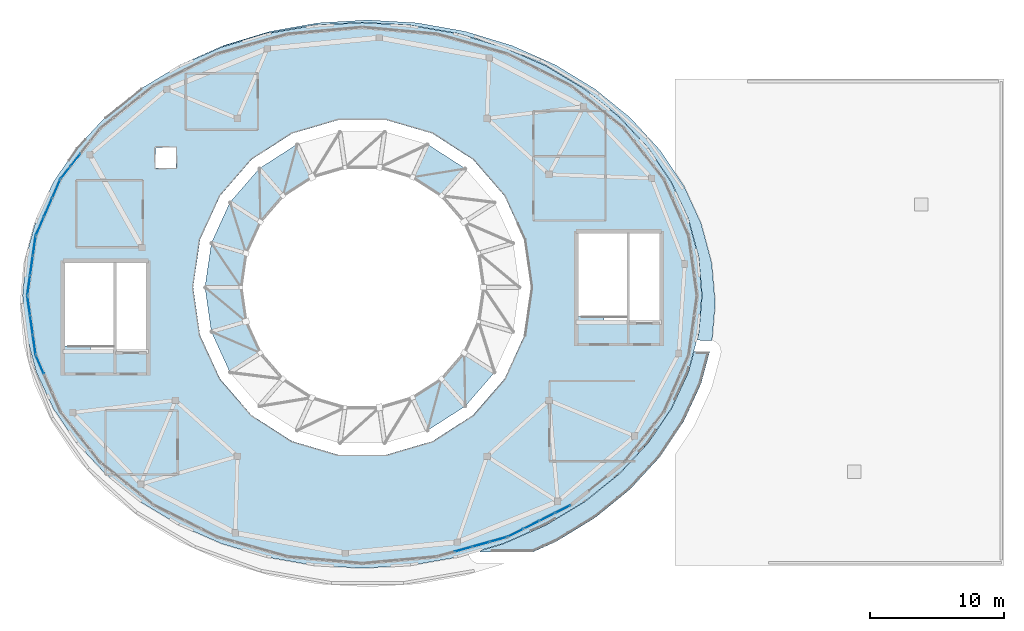
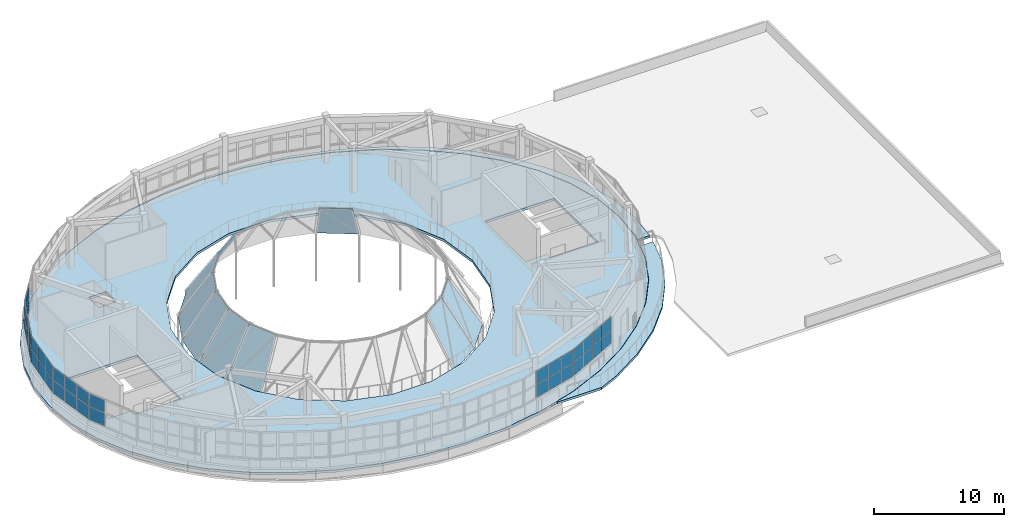
# One storey, part 30 of 38: 47 plates, 3 slabs, 7 elements without a shape of their own.
"""IFC4 building model written with IfcOpenShell, lengths in metres."""

import ifcopenshell
import ifcopenshell.guid

model = None  # the IFC model being written
_history = None  # IfcOwnerHistory: only IFC2X3 demands one
_inside = {}  # id of a spatial element -> (the spatial element, [elements in it])
_under = {}  # id of a project, library or spatial element -> (it, [spatial elements below it])
_declared = {}  # id of a project -> (the project, [libraries it declares])
_typed = {}  # id of a type object -> (the type object, [elements of that type])
_made_of = {}  # id of a material, layer set ... -> (it, [elements and type objects made of it])


def new_model(schema):
    """Start an empty IFC model of exactly this schema.

    Asked for "IFC4X3", IfcOpenShell would pick the latest addendum, in which some entities
    have other attributes; the version numbers below select the first issue.
    IFC2X3 requires an IfcOwnerHistory on every rooted entity: one is made here for all.
    """
    global model, _history
    if schema == "IFC4X3":
        model = ifcopenshell.file(schema_version=(4, 3, 0, 0))
    else:
        model = ifcopenshell.file(schema=schema)
    _inside.clear()
    _under.clear()
    _declared.clear()
    _typed.clear()
    _made_of.clear()
    _history = None
    if model.schema == "IFC2X3":
        org = make("IfcOrganization", Name="unknown")
        user = make(
            "IfcPersonAndOrganization",
            ThePerson=make("IfcPerson", FamilyName="unknown"),
            TheOrganization=org,
        )
        app = make(
            "IfcApplication",
            ApplicationDeveloper=org,
            Version="unknown",
            ApplicationFullName="unknown",
            ApplicationIdentifier="unknown",
        )
        _history = make(
            "IfcOwnerHistory",
            OwningUser=user,
            OwningApplication=app,
            ChangeAction="ADDED",
            CreationDate=0,
        )
    return model


def make(cls, **values):
    """One entity of the class cls with the attributes given. An attribute that is None is left unset."""
    return model.create_entity(
        cls, **{name: value for name, value in values.items() if value is not None}
    )


def rooted(cls, **values):
    """An entity with a GlobalId (a new one), such as an element, a storey or a relation."""
    return make(cls, GlobalId=ifcopenshell.guid.new(), OwnerHistory=_history, **values)


def si_unit(unit_type, name, prefix=None):
    """IfcSIUnit, for example si_unit("LENGTHUNIT", "METRE", prefix="MILLI")."""
    return make("IfcSIUnit", UnitType=unit_type, Prefix=prefix, Name=name)


def assignment(units):
    """IfcUnitAssignment: the units of a project."""
    return None if units is None else make("IfcUnitAssignment", Units=units)


def point(xyz):
    """IfcCartesianPoint."""
    return None if xyz is None else make("IfcCartesianPoint", Coordinates=xyz)


def direction(xyz):
    """IfcDirection."""
    return None if xyz is None else make("IfcDirection", DirectionRatios=xyz)


def frame(location, z_axis=None, x_axis=None):
    """IfcAxis2Placement3D, a coordinate frame: its origin and axes. An axis left out is left unset."""
    return make(
        "IfcAxis2Placement3D",
        Location=point(location),
        Axis=direction(z_axis),
        RefDirection=direction(x_axis),
    )


def frame_2d(location, x_axis=None):
    """IfcAxis2Placement2D, a coordinate frame in the plane: its origin and x axis."""
    return make(
        "IfcAxis2Placement2D", Location=point(location), RefDirection=direction(x_axis)
    )


def origin():
    """The frame at (0, 0, 0) with its axes left unset."""
    return frame((0.0, 0.0, 0.0))


def origin_2d():
    """The frame at (0, 0) in the plane with its x axis left unset."""
    return frame_2d((0.0, 0.0))


def place(relative_to, where):
    """IfcLocalPlacement: puts the frame where relative to a parent placement (None: the world)."""
    return make(
        "IfcLocalPlacement", PlacementRelTo=relative_to, RelativePlacement=where
    )


def context(
    kind, dimensions, precision=None, world=None, true_north=None, identifier=None
):
    """IfcGeometricRepresentationContext, for example the 3D "Model" context."""
    return make(
        "IfcGeometricRepresentationContext",
        ContextIdentifier=identifier,
        ContextType=kind,
        CoordinateSpaceDimension=dimensions,
        Precision=precision,
        WorldCoordinateSystem=world,
        TrueNorth=true_north,
    )


def subcontext(parent, identifier, kind, view, scale=None):
    """IfcGeometricRepresentationSubContext, for example "Body" below "Model"."""
    return make(
        "IfcGeometricRepresentationSubContext",
        ContextIdentifier=identifier,
        ContextType=kind,
        ParentContext=parent,
        TargetScale=scale,
        TargetView=view,
    )


def project(units=None, contexts=None):
    """IfcProject with its units and contexts."""
    return rooted(
        "IfcProject",
        Name="project",
        RepresentationContexts=contexts,
        UnitsInContext=assignment(units),
    )


def spatial(cls, under=None, at=None, **own):
    """A site, building, storey or space (cls), placed at a placement, below another one or the project."""
    s = rooted(cls, ObjectPlacement=at, **own)
    if under is not None:
        _under.setdefault(under.id(), (under, []))[1].append(s)
    return s


def polyline(points):
    """IfcPolyline through the points."""
    return make("IfcPolyline", Points=[point(p) for p in points])


def profile(cls, at=None, kind="AREA", **sizes):
    """A parametric profile (cls). Its sizes go by their IFC names, for example OverallWidth=200.0."""
    return make(cls, ProfileType=kind, Position=at, **sizes)


def rectangle(**sizes):
    """IfcRectangleProfileDef."""
    return profile("IfcRectangleProfileDef", **sizes)


def outline(outer, holes=None, kind="AREA"):
    """IfcArbitraryClosedProfileDef: a profile drawn as a closed curve; with holes, ...WithVoids."""
    if holes is None:
        return make("IfcArbitraryClosedProfileDef", ProfileType=kind, OuterCurve=outer)
    return make(
        "IfcArbitraryProfileDefWithVoids",
        ProfileType=kind,
        OuterCurve=outer,
        InnerCurves=holes,
    )


def extrude(swept, where, along, depth):
    """IfcExtrudedAreaSolid: the profile swept, set in the frame where, extruded along a direction by depth."""
    return make(
        "IfcExtrudedAreaSolid",
        SweptArea=swept,
        Position=where,
        ExtrudedDirection=direction(along),
        Depth=depth,
    )


def shape(context_of_items, identifier, shape_type, items):
    """IfcShapeRepresentation: the items that make up one representation, for example the "Body"."""
    return make(
        "IfcShapeRepresentation",
        ContextOfItems=context_of_items,
        RepresentationIdentifier=identifier,
        RepresentationType=shape_type,
        Items=items,
    )


def material(Name=None, Category=None):
    """IfcMaterial."""
    return make("IfcMaterial", Name=Name, Category=Category)


def layer(
    of_material, thickness, ventilated=None, Name=None, Category=None, Priority=None
):
    """IfcMaterialLayer: one layer of a wall or slab, of a material (None: an air gap)."""
    return make(
        "IfcMaterialLayer",
        Material=of_material,
        LayerThickness=thickness,
        IsVentilated=ventilated,
        Name=Name,
        Category=Category,
        Priority=Priority,
    )


def layer_set(layers, Name=None):
    """IfcMaterialLayerSet."""
    return make("IfcMaterialLayerSet", MaterialLayers=layers, LayerSetName=Name)


def made_of(thing, what):
    """Note that an element or type object is made of a material, layer set ...; save() writes the relation."""
    if what is not None:
        _made_of.setdefault(what.id(), (what, []))[1].append(thing)
    return thing


def type_object(cls, material=None, **own):
    """A type object (cls), such as IfcWallType, which elements share."""
    return made_of(rooted(cls, **own), material)


def element(
    cls,
    number,
    at=None,
    inside=None,
    cuts=None,
    type_object=None,
    material=None,
    context=None,
    identifier="Body",
    shape_type=None,
    held_by="IfcProductDefinitionShape",
    body=None,
    shapes=None,
    **own,
):
    """One element of the class cls, such as IfcWall. Its Tag is "e" and its number.

    at: its placement. inside: the storey or other place that contains it. cuts: it is an
    opening in that element (IfcRelVoidsElement). A single representation is given by context,
    identifier, shape_type and body (its items); several are given by shapes. held_by: the class
    of the entity that holds the representations. save() writes the other relations.
    """
    e = rooted(cls, Tag="e%d" % number, ObjectPlacement=at, **own)
    if body is not None:
        shapes = [shape(context, identifier, shape_type, body)]
    if shapes is not None:
        e.Representation = make(held_by, Representations=shapes)
    if inside is not None:
        _inside.setdefault(inside.id(), (inside, []))[1].append(e)
    if cuts is not None:
        rooted(
            "IfcRelVoidsElement", RelatingBuildingElement=cuts, RelatedOpeningElement=e
        )
    if type_object is not None:
        _typed.setdefault(type_object.id(), (type_object, []))[1].append(e)
    return made_of(e, material)


def aggregate(whole, parts):
    """IfcRelAggregates: a whole, such as a stair, and the parts it consists of."""
    return rooted("IfcRelAggregates", RelatingObject=whole, RelatedObjects=parts)


def save(model, path):
    """Write the relations noted so far, then the file.

    IfcRelAggregates (storeys below a building ...), IfcRelContainedInSpatialStructure (elements
    in a storey), IfcRelDefinesByType, IfcRelAssociatesMaterial and IfcRelDeclares: one each for
    every whole, place, type object, material and project.
    """
    for whole, parts in _under.values():
        aggregate(whole, parts)
    for where, things in _inside.values():
        rooted(
            "IfcRelContainedInSpatialStructure",
            RelatedElements=things,
            RelatingStructure=where,
        )
    for kind, things in _typed.values():
        rooted("IfcRelDefinesByType", RelatedObjects=things, RelatingType=kind)
    for what, things in _made_of.values():
        rooted("IfcRelAssociatesMaterial", RelatedObjects=things, RelatingMaterial=what)
    for by, libraries in _declared.values():
        rooted("IfcRelDeclares", RelatingContext=by, RelatedDefinitions=libraries)
    model.write(path)


model = new_model("IFC4")

# Units and contexts
model_context = context("Model", 3, precision=1e-05, world=origin(), true_north=direction((0.0, 1.0)))
body_context = subcontext(model_context, "Body", "Model", "MODEL_VIEW")
ifc_project = project(units=[si_unit("LENGTHUNIT", "METRE"), si_unit("AREAUNIT", "SQUARE_METRE"), si_unit("VOLUMEUNIT", "CUBIC_METRE"), si_unit("PLANEANGLEUNIT", "RADIAN"), si_unit("MASSUNIT", "GRAM", prefix="KILO")], contexts=[model_context])

# Site, building, storey
site_placement = place(None, origin())
site = spatial("IfcSite", under=ifc_project, at=site_placement, CompositionType="ELEMENT")
building_placement = place(site_placement, origin())
building = spatial("IfcBuilding", under=site, at=building_placement, Name="Pelvatis Terrace Science Centre", CompositionType="ELEMENT")
storey_placement = place(building_placement, frame((0.0, 0.0, 24.300048828125)))
storey = spatial("IfcBuildingStorey", under=building, at=storey_placement, Name="L05", CompositionType="ELEMENT", Elevation=24.300048828125)

# Curtain wall, plates
ifc_material_1 = material(Name="Bronze-anodised aluminium and laminated glass", Category="aluminium")
ifc_layer_1 = layer(ifc_material_1, 0.179931640625)
ifc_layer_set_1 = layer_set([ifc_layer_1], Name="Bronze-anodised aluminium and laminated glass")
curtain_wall_type = type_object("IfcCurtainWallType", Name="CW-RIBBON-A", PredefinedType="NOTDEFINED", material=ifc_layer_set_1)
curtain_wall_1_placement = place(storey_placement, origin())
curtain_wall_1 = element("IfcCurtainWall", 1, at=curtain_wall_1_placement, inside=storey, type_object=curtain_wall_type, Name="Ribbon curtain wall CW-248 (L05)", PredefinedType="NOTDEFINED")
ifc_material_2 = material(Name="Low-e laminated solar-control double glazing", Category="glass")
ifc_layer_2 = layer(ifc_material_2, 0.035888671875)
ifc_layer_set_2 = layer_set([ifc_layer_2], Name="Low-e laminated solar-control double glazing")
plate_type_1 = type_object("IfcPlateType", Name="CWP-IGU-36", PredefinedType="CURTAIN_PANEL", material=ifc_layer_set_2)
plate_1_placement = place(storey_placement, frame((87.749755859375, 95.324951171875, 1.080078125), z_axis=(0.0, 0.0, 1.0), x_axis=(-0.617492535697, -0.786576740286, 0.0)))
plate_1 = element("IfcPlate", 2, at=plate_1_placement, type_object=plate_type_1, Name="CW-248 panel 3.1", PredefinedType="CURTAIN_PANEL", context=body_context, shape_type="SweptSolid", body=[
    extrude(rectangle(XDim=1.148193359375, YDim=0.035888671875, at=origin_2d()), origin(), (0.0, 0.0, 1.0), 1.18994140625),
])
plate_2_placement = place(storey_placement, frame((87.749755859375, 95.324951171875, 2.330078125), z_axis=(0.0, 0.0, 1.0), x_axis=(-0.617492535697, -0.786576740286, 0.0)))
plate_2 = element("IfcPlate", 3, at=plate_2_placement, type_object=plate_type_1, Name="CW-248 panel 3.2", PredefinedType="CURTAIN_PANEL", context=body_context, shape_type="SweptSolid", body=[
    extrude(rectangle(XDim=1.148193359375, YDim=0.035888671875, at=origin_2d()), origin(), (0.0, 0.0, 1.0), 1.18994140625),
])
plate_3_placement = place(storey_placement, frame((87.012939453125, 94.386474609375, 1.080078125), z_axis=(0.0, 0.0, 1.0), x_axis=(-0.617492535697, -0.786576740286, 0.0)))
plate_3 = element("IfcPlate", 4, at=plate_3_placement, type_object=plate_type_1, Name="CW-248 panel 4.1", PredefinedType="CURTAIN_PANEL", context=body_context, shape_type="SweptSolid", body=[
    extrude(rectangle(XDim=1.1181640625, YDim=0.035888671875, at=origin_2d()), origin(), (0.0, 0.0, 1.0), 1.18994140625),
])
plate_4_placement = place(storey_placement, frame((87.012939453125, 94.386474609375, 2.330078125), z_axis=(0.0, 0.0, 1.0), x_axis=(-0.617492535697, -0.786576740286, 0.0)))
plate_4 = element("IfcPlate", 5, at=plate_4_placement, type_object=plate_type_1, Name="CW-248 panel 4.2", PredefinedType="CURTAIN_PANEL", context=body_context, shape_type="SweptSolid", body=[
    extrude(rectangle(XDim=1.1181640625, YDim=0.035888671875, at=origin_2d()), origin(), (0.0, 0.0, 1.0), 1.18994140625),
])
aggregate(curtain_wall_1, [plate_1, plate_2, plate_3, plate_4])

curtain_wall_2_placement = place(storey_placement, origin())
curtain_wall_2 = element("IfcCurtainWall", 6, at=curtain_wall_2_placement, inside=storey, type_object=curtain_wall_type, Name="Ribbon curtain wall CW-249 (L05)", PredefinedType="NOTDEFINED")
plate_5_placement = place(storey_placement, frame((86.31591796875, 93.179443359375, 1.080078125), z_axis=(0.0, 0.0, 1.0), x_axis=(-0.400550007911, -0.916274899341, 0.0)))
plate_5 = element("IfcPlate", 7, at=plate_5_placement, type_object=plate_type_1, Name="CW-249 panel 1.1", PredefinedType="CURTAIN_PANEL", context=body_context, shape_type="SweptSolid", body=[
    extrude(rectangle(XDim=1.45166015625, YDim=0.035888671875, at=origin_2d()), origin(), (0.0, 0.0, 1.0), 1.18994140625),
])
plate_6_placement = place(storey_placement, frame((86.31591796875, 93.179443359375, 2.330078125), z_axis=(0.0, 0.0, 1.0), x_axis=(-0.400550007911, -0.916274899341, 0.0)))
plate_6 = element("IfcPlate", 8, at=plate_6_placement, type_object=plate_type_1, Name="CW-249 panel 1.2", PredefinedType="CURTAIN_PANEL", context=body_context, shape_type="SweptSolid", body=[
    extrude(rectangle(XDim=1.45166015625, YDim=0.035888671875, at=origin_2d()), origin(), (0.0, 0.0, 1.0), 1.18994140625),
])
plate_7_placement = place(storey_placement, frame((85.704345703125, 91.780517578125, 1.080078125), z_axis=(0.0, 0.0, 1.0), x_axis=(-0.400550007911, -0.916274899341, 0.0)))
plate_7 = element("IfcPlate", 9, at=plate_7_placement, type_object=plate_type_1, Name="CW-249 panel 2.1", PredefinedType="CURTAIN_PANEL", context=body_context, shape_type="SweptSolid", body=[
    extrude(rectangle(XDim=1.481689453125, YDim=0.035888671875, at=origin_2d()), origin(), (0.0, 0.0, 1.0), 1.18994140625),
])
plate_8_placement = place(storey_placement, frame((85.704345703125, 91.780517578125, 2.330078125), z_axis=(0.0, 0.0, 1.0), x_axis=(-0.400550007911, -0.916274899341, 0.0)))
plate_8 = element("IfcPlate", 10, at=plate_8_placement, type_object=plate_type_1, Name="CW-249 panel 2.2", PredefinedType="CURTAIN_PANEL", context=body_context, shape_type="SweptSolid", body=[
    extrude(rectangle(XDim=1.481689453125, YDim=0.035888671875, at=origin_2d()), origin(), (0.0, 0.0, 1.0), 1.18994140625),
])
plate_9_placement = place(storey_placement, frame((85.0927734375, 90.381591796875, 1.080078125), z_axis=(0.0, 0.0, 1.0), x_axis=(-0.400550007911, -0.916274899341, 0.0)))
plate_9 = element("IfcPlate", 11, at=plate_9_placement, type_object=plate_type_1, Name="CW-249 panel 3.1", PredefinedType="CURTAIN_PANEL", context=body_context, shape_type="SweptSolid", body=[
    extrude(rectangle(XDim=1.45166015625, YDim=0.035888671875, at=origin_2d()), origin(), (0.0, 0.0, 1.0), 1.18994140625),
])
plate_10_placement = place(storey_placement, frame((85.0927734375, 90.381591796875, 2.330078125), z_axis=(0.0, 0.0, 1.0), x_axis=(-0.400550007911, -0.916274899341, 0.0)))
plate_10 = element("IfcPlate", 12, at=plate_10_placement, type_object=plate_type_1, Name="CW-249 panel 3.2", PredefinedType="CURTAIN_PANEL", context=body_context, shape_type="SweptSolid", body=[
    extrude(rectangle(XDim=1.45166015625, YDim=0.035888671875, at=origin_2d()), origin(), (0.0, 0.0, 1.0), 1.18994140625),
])
aggregate(curtain_wall_2, [plate_5, plate_6, plate_7, plate_8, plate_9, plate_10])

curtain_wall_3_placement = place(storey_placement, origin())
curtain_wall_3 = element("IfcCurtainWall", 13, at=curtain_wall_3_placement, inside=storey, type_object=curtain_wall_type, Name="Ribbon curtain wall CW-250 (L05)", PredefinedType="NOTDEFINED")
plate_11_placement = place(storey_placement, frame((84.67138671875, 88.903076171875, 1.080078125), z_axis=(0.0, 0.0, 1.0), x_axis=(-0.139407522788, -0.990235094606, 0.0)))
plate_11 = element("IfcPlate", 14, at=plate_11_placement, type_object=plate_type_1, Name="CW-250 panel 1.1", PredefinedType="CURTAIN_PANEL", context=body_context, shape_type="SweptSolid", body=[
    extrude(rectangle(XDim=1.411865234375, YDim=0.035888671875, at=origin_2d()), origin(), (0.0, 0.0, 1.0), 1.18994140625),
])
plate_12_placement = place(storey_placement, frame((84.67138671875, 88.903076171875, 2.330078125), z_axis=(0.0, 0.0, 1.0), x_axis=(-0.139407522788, -0.990235094606, 0.0)))
plate_12 = element("IfcPlate", 15, at=plate_12_placement, type_object=plate_type_1, Name="CW-250 panel 1.2", PredefinedType="CURTAIN_PANEL", context=body_context, shape_type="SweptSolid", body=[
    extrude(rectangle(XDim=1.411865234375, YDim=0.035888671875, at=origin_2d()), origin(), (0.0, 0.0, 1.0), 1.18994140625),
])
plate_13_placement = place(storey_placement, frame((84.464111328125, 87.4306640625, 1.080078125), z_axis=(0.0, 0.0, 1.0), x_axis=(-0.139407522788, -0.990235094606, 0.0)))
plate_13 = element("IfcPlate", 16, at=plate_13_placement, type_object=plate_type_1, Name="CW-250 panel 2.1", PredefinedType="CURTAIN_PANEL", context=body_context, shape_type="SweptSolid", body=[
    extrude(rectangle(XDim=1.44189453125, YDim=0.035888671875, at=origin_2d()), origin(), (0.0, 0.0, 1.0), 1.18994140625),
])
plate_14_placement = place(storey_placement, frame((84.464111328125, 87.4306640625, 2.330078125), z_axis=(0.0, 0.0, 1.0), x_axis=(-0.139407522788, -0.990235094606, 0.0)))
plate_14 = element("IfcPlate", 17, at=plate_14_placement, type_object=plate_type_1, Name="CW-250 panel 2.2", PredefinedType="CURTAIN_PANEL", context=body_context, shape_type="SweptSolid", body=[
    extrude(rectangle(XDim=1.44189453125, YDim=0.035888671875, at=origin_2d()), origin(), (0.0, 0.0, 1.0), 1.18994140625),
])
plate_15_placement = place(storey_placement, frame((84.2568359375, 85.95849609375, 1.080078125), z_axis=(0.0, 0.0, 1.0), x_axis=(-0.139407522788, -0.990235094606, 0.0)))
plate_15 = element("IfcPlate", 18, at=plate_15_placement, type_object=plate_type_1, Name="CW-250 panel 3.1", PredefinedType="CURTAIN_PANEL", context=body_context, shape_type="SweptSolid", body=[
    extrude(rectangle(XDim=1.411865234375, YDim=0.035888671875, at=origin_2d()), origin(), (0.0, 0.0, 1.0), 1.18994140625),
])
plate_16_placement = place(storey_placement, frame((84.2568359375, 85.95849609375, 2.330078125), z_axis=(0.0, 0.0, 1.0), x_axis=(-0.139407522788, -0.990235094606, 0.0)))
plate_16 = element("IfcPlate", 19, at=plate_16_placement, type_object=plate_type_1, Name="CW-250 panel 3.2", PredefinedType="CURTAIN_PANEL", context=body_context, shape_type="SweptSolid", body=[
    extrude(rectangle(XDim=1.411865234375, YDim=0.035888671875, at=origin_2d()), origin(), (0.0, 0.0, 1.0), 1.18994140625),
])
aggregate(curtain_wall_3, [plate_11, plate_12, plate_13, plate_14, plate_15, plate_16])

curtain_wall_4_placement = place(storey_placement, origin())
curtain_wall_4 = element("IfcCurtainWall", 20, at=curtain_wall_4_placement, inside=storey, type_object=curtain_wall_type, Name="Ribbon curtain wall CW-251 (L05)", PredefinedType="NOTDEFINED")
plate_17_placement = place(storey_placement, frame((84.2568359375, 84.441650390625, 1.080078125), z_axis=(0.0, 0.0, 1.0), x_axis=(0.139407522788, -0.990235094606, 0.0)))
plate_17 = element("IfcPlate", 21, at=plate_17_placement, type_object=plate_type_1, Name="CW-251 panel 1.1", PredefinedType="CURTAIN_PANEL", context=body_context, shape_type="SweptSolid", body=[
    extrude(rectangle(XDim=1.411865234375, YDim=0.035888671875, at=origin_2d()), origin(), (0.0, 0.0, 1.0), 1.18994140625),
])
plate_18_placement = place(storey_placement, frame((84.2568359375, 84.441650390625, 2.330078125), z_axis=(0.0, 0.0, 1.0), x_axis=(0.139407522788, -0.990235094606, 0.0)))
plate_18 = element("IfcPlate", 22, at=plate_18_placement, type_object=plate_type_1, Name="CW-251 panel 1.2", PredefinedType="CURTAIN_PANEL", context=body_context, shape_type="SweptSolid", body=[
    extrude(rectangle(XDim=1.411865234375, YDim=0.035888671875, at=origin_2d()), origin(), (0.0, 0.0, 1.0), 1.18994140625),
])
plate_19_placement = place(storey_placement, frame((84.464111328125, 82.96923828125, 1.080078125), z_axis=(0.0, 0.0, 1.0), x_axis=(0.139407522788, -0.990235094606, 0.0)))
plate_19 = element("IfcPlate", 23, at=plate_19_placement, type_object=plate_type_1, Name="CW-251 panel 2.1", PredefinedType="CURTAIN_PANEL", context=body_context, shape_type="SweptSolid", body=[
    extrude(rectangle(XDim=1.44189453125, YDim=0.035888671875, at=origin_2d()), origin(), (0.0, 0.0, 1.0), 1.18994140625),
])
plate_20_placement = place(storey_placement, frame((84.464111328125, 82.96923828125, 2.330078125), z_axis=(0.0, 0.0, 1.0), x_axis=(0.139407522788, -0.990235094606, 0.0)))
plate_20 = element("IfcPlate", 24, at=plate_20_placement, type_object=plate_type_1, Name="CW-251 panel 2.2", PredefinedType="CURTAIN_PANEL", context=body_context, shape_type="SweptSolid", body=[
    extrude(rectangle(XDim=1.44189453125, YDim=0.035888671875, at=origin_2d()), origin(), (0.0, 0.0, 1.0), 1.18994140625),
])
plate_21_placement = place(storey_placement, frame((84.67138671875, 81.496826171875, 1.080078125), z_axis=(0.0, 0.0, 1.0), x_axis=(0.139407522788, -0.990235094606, 0.0)))
plate_21 = element("IfcPlate", 25, at=plate_21_placement, type_object=plate_type_1, Name="CW-251 panel 3.1", PredefinedType="CURTAIN_PANEL", context=body_context, shape_type="SweptSolid", body=[
    extrude(rectangle(XDim=1.411865234375, YDim=0.035888671875, at=origin_2d()), origin(), (0.0, 0.0, 1.0), 1.18994140625),
])
plate_22_placement = place(storey_placement, frame((84.67138671875, 81.496826171875, 2.330078125), z_axis=(0.0, 0.0, 1.0), x_axis=(0.139407522788, -0.990235094606, 0.0)))
plate_22 = element("IfcPlate", 26, at=plate_22_placement, type_object=plate_type_1, Name="CW-251 panel 3.2", PredefinedType="CURTAIN_PANEL", context=body_context, shape_type="SweptSolid", body=[
    extrude(rectangle(XDim=1.411865234375, YDim=0.035888671875, at=origin_2d()), origin(), (0.0, 0.0, 1.0), 1.18994140625),
])
aggregate(curtain_wall_4, [plate_17, plate_18, plate_19, plate_20, plate_21, plate_22])

curtain_wall_5_placement = place(storey_placement, origin())
curtain_wall_5 = element("IfcCurtainWall", 27, at=curtain_wall_5_placement, inside=storey, type_object=curtain_wall_type, Name="Ribbon curtain wall CW-252 (L05)", PredefinedType="NOTDEFINED")
plate_23_placement = place(storey_placement, frame((85.0927734375, 80.0185546875, 1.080078125), z_axis=(0.0, 0.0, 1.0), x_axis=(0.400550007911, -0.916274899341, 0.0)))
plate_23 = element("IfcPlate", 28, at=plate_23_placement, type_object=plate_type_1, Name="CW-252 panel 1.1", PredefinedType="CURTAIN_PANEL", context=body_context, shape_type="SweptSolid", body=[
    extrude(rectangle(XDim=1.45166015625, YDim=0.035888671875, at=origin_2d()), origin(), (0.0, 0.0, 1.0), 1.18994140625),
])
plate_24_placement = place(storey_placement, frame((85.0927734375, 80.0185546875, 2.330078125), z_axis=(0.0, 0.0, 1.0), x_axis=(0.400550007911, -0.916274899341, 0.0)))
plate_24 = element("IfcPlate", 29, at=plate_24_placement, type_object=plate_type_1, Name="CW-252 panel 1.2", PredefinedType="CURTAIN_PANEL", context=body_context, shape_type="SweptSolid", body=[
    extrude(rectangle(XDim=1.45166015625, YDim=0.035888671875, at=origin_2d()), origin(), (0.0, 0.0, 1.0), 1.18994140625),
])
aggregate(curtain_wall_5, [plate_23, plate_24])

curtain_wall_6_placement = place(storey_placement, origin())
curtain_wall_6 = element("IfcCurtainWall", 30, at=curtain_wall_6_placement, inside=storey, type_object=curtain_wall_type, Name="Ribbon curtain wall CW-259 (L05)", PredefinedType="NOTDEFINED")
plate_25_placement = place(storey_placement, frame((116.759521484375, 66.208740234375, 1.080078125), z_axis=(0.0, 0.0, 1.0), x_axis=(0.962945884526, 0.269694685663, 0.0)))
plate_25 = element("IfcPlate", 31, at=plate_25_placement, type_object=plate_type_1, Name="CW-259 panel 2.1", PredefinedType="CURTAIN_PANEL", context=body_context, shape_type="SweptSolid", body=[
    extrude(rectangle(XDim=1.314697265625, YDim=0.035888671875, at=origin_2d()), origin(), (0.0, 0.0, 1.0), 1.18994140625),
])
plate_26_placement = place(storey_placement, frame((116.759521484375, 66.208740234375, 2.330078125), z_axis=(0.0, 0.0, 1.0), x_axis=(0.962945884526, 0.269694685663, 0.0)))
plate_26 = element("IfcPlate", 32, at=plate_26_placement, type_object=plate_type_1, Name="CW-259 panel 2.2", PredefinedType="CURTAIN_PANEL", context=body_context, shape_type="SweptSolid", body=[
    extrude(rectangle(XDim=1.314697265625, YDim=0.035888671875, at=origin_2d()), origin(), (0.0, 0.0, 1.0), 1.18994140625),
])
plate_27_placement = place(storey_placement, frame((118.083251953125, 66.57958984375, 1.080078125), z_axis=(0.0, 0.0, 1.0), x_axis=(0.962945884526, 0.269694685663, 0.0)))
plate_27 = element("IfcPlate", 33, at=plate_27_placement, type_object=plate_type_1, Name="CW-259 panel 3.1", PredefinedType="CURTAIN_PANEL", context=body_context, shape_type="SweptSolid", body=[
    extrude(rectangle(XDim=1.314697265625, YDim=0.035888671875, at=origin_2d()), origin(), (0.0, 0.0, 1.0), 1.18994140625),
])
plate_28_placement = place(storey_placement, frame((118.083251953125, 66.57958984375, 2.330078125), z_axis=(0.0, 0.0, 1.0), x_axis=(0.962945884526, 0.269694685663, 0.0)))
plate_28 = element("IfcPlate", 34, at=plate_28_placement, type_object=plate_type_1, Name="CW-259 panel 3.2", PredefinedType="CURTAIN_PANEL", context=body_context, shape_type="SweptSolid", body=[
    extrude(rectangle(XDim=1.314697265625, YDim=0.035888671875, at=origin_2d()), origin(), (0.0, 0.0, 1.0), 1.18994140625),
])
plate_29_placement = place(storey_placement, frame((119.392578125, 66.9462890625, 1.080078125), z_axis=(0.0, 0.0, 1.0), x_axis=(0.962945884526, 0.269694685663, 0.0)))
plate_29 = element("IfcPlate", 35, at=plate_29_placement, type_object=plate_type_1, Name="CW-259 panel 4.1", PredefinedType="CURTAIN_PANEL", context=body_context, shape_type="SweptSolid", body=[
    extrude(rectangle(XDim=1.28466796875, YDim=0.035888671875, at=origin_2d()), origin(), (0.0, 0.0, 1.0), 1.18994140625),
])
plate_30_placement = place(storey_placement, frame((119.392578125, 66.9462890625, 2.330078125), z_axis=(0.0, 0.0, 1.0), x_axis=(0.962945884526, 0.269694685663, 0.0)))
plate_30 = element("IfcPlate", 36, at=plate_30_placement, type_object=plate_type_1, Name="CW-259 panel 4.2", PredefinedType="CURTAIN_PANEL", context=body_context, shape_type="SweptSolid", body=[
    extrude(rectangle(XDim=1.28466796875, YDim=0.035888671875, at=origin_2d()), origin(), (0.0, 0.0, 1.0), 1.18994140625),
])
aggregate(curtain_wall_6, [plate_25, plate_26, plate_27, plate_28, plate_29, plate_30])

curtain_wall_7_placement = place(storey_placement, origin())
curtain_wall_7 = element("IfcCurtainWall", 37, at=curtain_wall_7_placement, inside=storey, type_object=curtain_wall_type, Name="Ribbon curtain wall CW-260 (L05)", PredefinedType="NOTDEFINED")
plate_31_placement = place(storey_placement, frame((120.67578125, 67.44091796875, 1.080078125), z_axis=(0.0, 0.0, 1.0), x_axis=(0.893378933741, 0.449303995918, 0.0)))
plate_31 = element("IfcPlate", 38, at=plate_31_placement, type_object=plate_type_1, Name="CW-260 panel 1.1", PredefinedType="CURTAIN_PANEL", context=body_context, shape_type="SweptSolid", body=[
    extrude(rectangle(XDim=1.239013671875, YDim=0.035888671875, at=origin_2d()), origin(), (0.0, 0.0, 1.0), 1.18994140625),
])
plate_32_placement = place(storey_placement, frame((120.67578125, 67.44091796875, 2.330078125), z_axis=(0.0, 0.0, 1.0), x_axis=(0.893378933741, 0.449303995918, 0.0)))
plate_32 = element("IfcPlate", 39, at=plate_32_placement, type_object=plate_type_1, Name="CW-260 panel 1.2", PredefinedType="CURTAIN_PANEL", context=body_context, shape_type="SweptSolid", body=[
    extrude(rectangle(XDim=1.239013671875, YDim=0.035888671875, at=origin_2d()), origin(), (0.0, 0.0, 1.0), 1.18994140625),
])
plate_33_placement = place(storey_placement, frame((121.849853515625, 68.03125, 1.080078125), z_axis=(0.0, 0.0, 1.0), x_axis=(0.893378933741, 0.449303995918, 0.0)))
plate_33 = element("IfcPlate", 40, at=plate_33_placement, type_object=plate_type_1, Name="CW-260 panel 2.1", PredefinedType="CURTAIN_PANEL", context=body_context, shape_type="SweptSolid", body=[
    extrude(rectangle(XDim=1.26904296875, YDim=0.035888671875, at=origin_2d()), origin(), (0.0, 0.0, 1.0), 1.18994140625),
])
plate_34_placement = place(storey_placement, frame((121.849853515625, 68.03125, 2.330078125), z_axis=(0.0, 0.0, 1.0), x_axis=(0.893378933741, 0.449303995918, 0.0)))
plate_34 = element("IfcPlate", 41, at=plate_34_placement, type_object=plate_type_1, Name="CW-260 panel 2.2", PredefinedType="CURTAIN_PANEL", context=body_context, shape_type="SweptSolid", body=[
    extrude(rectangle(XDim=1.26904296875, YDim=0.035888671875, at=origin_2d()), origin(), (0.0, 0.0, 1.0), 1.18994140625),
])
plate_35_placement = place(storey_placement, frame((123.037353515625, 68.62841796875, 1.080078125), z_axis=(0.0, 0.0, 1.0), x_axis=(0.893378933741, 0.449303995918, 0.0)))
plate_35 = element("IfcPlate", 42, at=plate_35_placement, type_object=plate_type_1, Name="CW-260 panel 3.1", PredefinedType="CURTAIN_PANEL", context=body_context, shape_type="SweptSolid", body=[
    extrude(rectangle(XDim=1.26904296875, YDim=0.035888671875, at=origin_2d()), origin(), (0.0, 0.0, 1.0), 1.18994140625),
])
plate_36_placement = place(storey_placement, frame((123.037353515625, 68.62841796875, 2.330078125), z_axis=(0.0, 0.0, 1.0), x_axis=(0.893378933741, 0.449303995918, 0.0)))
plate_36 = element("IfcPlate", 43, at=plate_36_placement, type_object=plate_type_1, Name="CW-260 panel 3.2", PredefinedType="CURTAIN_PANEL", context=body_context, shape_type="SweptSolid", body=[
    extrude(rectangle(XDim=1.26904296875, YDim=0.035888671875, at=origin_2d()), origin(), (0.0, 0.0, 1.0), 1.18994140625),
])
plate_37_placement = place(storey_placement, frame((124.211181640625, 69.218994140625, 1.080078125), z_axis=(0.0, 0.0, 1.0), x_axis=(0.893378933741, 0.449303995918, 0.0)))
plate_37 = element("IfcPlate", 44, at=plate_37_placement, type_object=plate_type_1, Name="CW-260 panel 4.1", PredefinedType="CURTAIN_PANEL", context=body_context, shape_type="SweptSolid", body=[
    extrude(rectangle(XDim=1.239013671875, YDim=0.035888671875, at=origin_2d()), origin(), (0.0, 0.0, 1.0), 1.18994140625),
])
plate_38_placement = place(storey_placement, frame((124.211181640625, 69.218994140625, 2.330078125), z_axis=(0.0, 0.0, 1.0), x_axis=(0.893378933741, 0.449303995918, 0.0)))
plate_38 = element("IfcPlate", 45, at=plate_38_placement, type_object=plate_type_1, Name="CW-260 panel 4.2", PredefinedType="CURTAIN_PANEL", context=body_context, shape_type="SweptSolid", body=[
    extrude(rectangle(XDim=1.239013671875, YDim=0.035888671875, at=origin_2d()), origin(), (0.0, 0.0, 1.0), 1.18994140625),
])
aggregate(curtain_wall_7, [plate_31, plate_32, plate_33, plate_34, plate_35, plate_36, plate_37, plate_38])

# Plates
ifc_material_3 = material(Name="Bronze-patinated standing-seam titanium-zinc sheet", Category="steel")
ifc_layer_3 = layer(ifc_material_3, 0.013916015625)
ifc_layer_set_3 = layer_set([ifc_layer_3], Name="Bronze-patinated standing-seam titanium-zinc sheet")
plate_type_2 = type_object("IfcPlateType", Name="PLT-DOM-SH14", PredefinedType="SHEET", material=ifc_layer_set_3)
plate_39_placement = place(storey_placement, frame((116.9033203125, 94.68994140625, -1.1845703125), z_axis=(0.457297506719, 0.711603273386, 0.533385200071), x_axis=(-0.841265635981, 0.540621984124, 5.70423e-07)))
element("IfcPlate", 46, at=plate_39_placement, inside=storey, type_object=plate_type_2, Name="Planetarium dome shell panel 2.04", PredefinedType="SHEET", context=body_context, shape_type="SweptSolid", body=[
    extrude(outline(polyline([(0.0, 0.0), (3.3481086505374, 0.0), (2.9642582935118433, 5.009387547296053), (0.38432057398885655, 5.009391544935464), (0.0, 0.0)])), origin(), (0.0, 0.0, -1.0), 0.013916015625),
])
plate_40_placement = place(storey_placement, frame((104.3134765625, 96.5, -1.1845703125), z_axis=(-0.457316564345, 0.71159809121, 0.533375774254), x_axis=(-0.841257022967, -0.540635386556, -1.0616081e-05)))
element("IfcPlate", 47, at=plate_40_placement, inside=storey, type_object=plate_type_2, Name="Planetarium dome shell panel 2.08", PredefinedType="SHEET", context=body_context, shape_type="SweptSolid", body=[
    extrude(outline(polyline([(0.0, 0.0), (3.348108649876135, 1.1102230246251565e-16), (2.9637880771339047, 5.009391544589138), (0.38405574301643564, 5.009317148030256), (0.0, 0.0)])), origin(), (0.0, 0.0, -1.0), 0.013916015625),
])
plate_41_placement = place(storey_placement, frame((101.496826171875, 94.68994140625, -1.1845703125), z_axis=(-0.639251385708, 0.553936582242, 0.533396596094), x_axis=(-0.65487784519, -0.755734747023, -4.58788e-06)))
element("IfcPlate", 48, at=plate_41_placement, inside=storey, type_object=plate_type_2, Name="Planetarium dome shell panel 2.09", PredefinedType="SHEET", context=body_context, shape_type="SweptSolid", body=[
    extrude(outline(polyline([(0.0, 0.0), (3.348118370556657, 0.0), (2.96384810065946, 5.009448179762166), (0.38400132857883146, 5.009416027132827), (0.0, 0.0)])), origin(), (0.0, 0.0, -1.0), 0.013916015625),
])
plate_42_placement = place(storey_placement, frame((99.30419921875, 92.15966796875, -1.1845703125), z_axis=(-0.769424298431, 0.351391447379, 0.533395069056), x_axis=(-0.415417582361, -0.909630821931, 7.703925e-06)))
element("IfcPlate", 49, at=plate_42_placement, inside=storey, type_object=plate_type_2, Name="Planetarium dome shell panel 2.10", PredefinedType="SHEET", context=body_context, shape_type="SweptSolid", body=[
    extrude(outline(polyline([(0.0, 0.0), (3.3482125171615817, 0.0), (2.9640495748705833, 5.00939940577752), (0.3842022489523858, 5.009453396972569), (0.0, 0.0)])), origin(), (0.0, 0.0, -1.0), 0.013916015625),
])
plate_43_placement = place(storey_placement, frame((97.913330078125, 89.114013671875, -1.1845703125), z_axis=(-0.837272325558, 0.12036682415, 0.53337311565), x_axis=(-0.142289462575, -0.989825089935, 1.3261461e-05)))
element("IfcPlate", 50, at=plate_43_placement, inside=storey, type_object=plate_type_2, Name="Planetarium dome shell panel 2.11", PredefinedType="SHEET", context=body_context, shape_type="SweptSolid", body=[
    extrude(outline(polyline([(0.0, 0.0), (3.3480206328753765, 0.0), (2.9640064404178363, 5.0092979516218445), (0.3842740265164927, 5.009390885206285), (0.0, 0.0)])), origin(), (0.0, 0.0, -1.0), 0.013916015625),
])
plate_44_placement = place(storey_placement, frame((97.43701171875, 85.800048828125, -1.1845703125), z_axis=(-0.837271482489, -0.120361694766, 0.533375596595), x_axis=(0.142282390795, -0.989826106463, -1.5297708e-05)))
element("IfcPlate", 51, at=plate_44_placement, inside=storey, type_object=plate_type_2, Name="Planetarium dome shell panel 2.12", PredefinedType="SHEET", context=body_context, shape_type="SweptSolid", body=[
    extrude(outline(polyline([(0.0, 0.0), (3.348262289959921, 0.0), (2.9637188888814343, 5.009407283819016), (0.38398647597814745, 5.009300076069003), (0.0, 0.0)])), origin(), (0.0, 0.0, -1.0), 0.013916015625),
])
plate_45_placement = place(storey_placement, frame((97.913330078125, 82.48583984375, -1.1845703125), z_axis=(-0.769414131608, -0.351402714187, 0.53340231209), x_axis=(0.415436557121, -0.909622156175, -1.756139e-06)))
element("IfcPlate", 52, at=plate_45_placement, inside=storey, type_object=plate_type_2, Name="Planetarium dome shell panel 2.13", PredefinedType="SHEET", context=body_context, shape_type="SweptSolid", body=[
    extrude(outline(polyline([(0.0, 0.0), (3.347990439952312, 0.0), (2.963869132624762, 5.009459604389893), (0.38402180574126243, 5.00944729728817), (0.0, 0.0)])), origin(), (0.0, 0.0, -1.0), 0.013916015625),
])
plate_46_placement = place(storey_placement, frame((114.086669921875, 75.099853515625, -1.1845703125), z_axis=(0.457287506015, -0.711587711235, 0.533414534918), x_axis=(0.841265636002, 0.54062198409, -5.70442e-07)))
element("IfcPlate", 53, at=plate_46_placement, inside=storey, type_object=plate_type_2, Name="Planetarium dome shell panel 2.19", PredefinedType="SHEET", context=body_context, shape_type="SweptSolid", body=[
    extrude(outline(polyline([(0.0, 0.0), (3.3481086505374007, 1.1102230246251565e-16), (2.9639200641518415, 5.00950109857072), (0.3839823446288549, 5.009497100711448), (0.0, 0.0)])), origin(), (0.0, 0.0, -1.0), 0.013916015625),
])
plate_47_placement = place(storey_placement, frame((116.9033203125, 76.909912109375, -1.1845703125), z_axis=(0.639284404336, -0.553900170506, 0.533394836389), x_axis=(0.654824313959, 0.755781130754, 1.5608879e-05)))
element("IfcPlate", 54, at=plate_47_placement, inside=storey, type_object=plate_type_2, Name="Planetarium dome shell panel 2.20", PredefinedType="SHEET", context=body_context, shape_type="SweptSolid", body=[
    extrude(outline(polyline([(0.0, 0.0), (3.3481430077201617, -1.1102230246251565e-16), (2.964307451865541, 5.009370832563114), (0.38446068360348384, 5.009480222504778), (0.0, 0.0)])), origin(), (0.0, 0.0, -1.0), 0.013916015625),
])

# Slabs
ifc_material_4 = material(Name="Concrete C35/45", Category="concrete")
ifc_layer_4 = layer(ifc_material_4, 0.22998046875)
ifc_layer_set_4 = layer_set([ifc_layer_4], Name="Concrete C35/45")
slab_type_1 = type_object("IfcSlabType", Name="SLB-FLR-230", PredefinedType="FLOOR", material=ifc_layer_set_4)
slab_1_placement = place(storey_placement, frame((0.0, 0.0, -0.22998046875)))
element("IfcSlab", 55, at=slab_1_placement, inside=storey, type_object=slab_type_1, Name="L05 Astronomical observatory elliptical spiral ring slab", PredefinedType="FLOOR", context=body_context, shape_type="SweptSolid", body=[
    extrude(outline(polyline([(134.341552734375, 82.296875), (133.571044921875, 79.45263671875), (132.3046875, 76.7255859375), (130.56787109375, 74.1708984375), (128.39599609375, 71.8408203125), (125.83349609375, 69.78271484375), (122.932373046875, 68.038330078125), (119.75146484375, 66.6435546875), (116.35595703125, 65.626220703125), (112.814697265625, 65.007568359375), (109.199951171875, 64.800048828125), (105.585205078125, 65.007568359375), (102.0439453125, 65.626220703125), (98.6484375, 66.6435546875), (95.4677734375, 68.038330078125), (92.56640625, 69.78271484375), (90.00390625, 71.8408203125), (87.832275390625, 74.1708984375), (86.09521484375, 76.7255859375), (84.828857421875, 79.45263671875), (84.05859375, 82.296875), (83.800048828125, 85.199951171875), (84.05859375, 88.103271484375), (84.828857421875, 90.947265625), (86.09521484375, 93.674560546875), (87.832275390625, 96.22900390625), (90.00390625, 98.55908203125), (92.56640625, 100.6171875), (95.4677734375, 102.361572265625), (98.6484375, 103.756591796875), (102.0439453125, 104.773681640625), (105.585205078125, 105.392333984375), (109.199951171875, 105.60009765625), (112.814697265625, 105.392333984375), (116.35595703125, 104.773681640625), (119.75146484375, 103.756591796875), (122.932373046875, 102.361572265625), (125.83349609375, 100.6171875), (128.39599609375, 98.55908203125), (130.56787109375, 96.22900390625), (132.3046875, 93.674560546875), (133.571044921875, 90.947265625), (134.341552734375, 88.103271484375), (134.60009765625, 85.199951171875), (134.341552734375, 82.296875)]), holes=[polyline([(86.919921875, 87.679931640625), (86.919921875, 81.419921875), (88.8798828125, 81.419921875), (88.8798828125, 80.919921875), (93.080078125, 80.919921875), (93.080078125, 87.679931640625), (86.919921875, 87.679931640625)]), polyline([(121.337646484375, 82.236083984375), (121.85009765625, 85.800048828125), (121.337646484375, 89.364013671875), (119.841796875, 92.63916015625), (117.48388671875, 95.360107421875), (114.455078125, 97.306884765625), (111.000244140625, 98.3212890625), (107.399658203125, 98.3212890625), (103.945068359375, 97.306884765625), (100.916015625, 95.360107421875), (98.55810546875, 92.63916015625), (97.0625, 89.364013671875), (96.550048828125, 85.800048828125), (97.0625, 82.236083984375), (98.55810546875, 78.9609375), (100.916015625, 76.23974609375), (103.945068359375, 74.293212890625), (107.399658203125, 73.27880859375), (111.000244140625, 73.27880859375), (114.455078125, 74.293212890625), (117.48388671875, 76.23974609375), (119.841796875, 78.9609375), (121.337646484375, 82.236083984375)]), polyline([(125.320068359375, 89.8798828125), (125.320068359375, 83.6201171875), (127.280029296875, 83.6201171875), (127.280029296875, 83.1201171875), (131.47998046875, 83.1201171875), (131.47998046875, 89.8798828125), (125.320068359375, 89.8798828125)]), polyline([(93.72509765625, 96.27490234375), (93.72509765625, 94.72509765625), (95.27490234375, 94.72509765625), (95.27490234375, 96.27490234375), (93.72509765625, 96.27490234375)])]), origin(), (0.0, 0.0, 1.0), 0.22998046875),
])
ifc_material_5 = material(Name="Concrete C35/45", Category="concrete")
ifc_layer_5 = layer(ifc_material_5, 0.196044921875)
ifc_layer_set_5 = layer_set([ifc_layer_5], Name="Concrete C35/45")
slab_type_2 = type_object("IfcSlabType", Name="SLB-ROOF-196", PredefinedType="ROOF", material=ifc_layer_set_5)
slab_2_placement = place(storey_placement, frame((0.0, 0.0, -0.196044921875)))
element("IfcSlab", 56, at=slab_2_placement, inside=storey, type_object=slab_type_2, Name="L05 Observatory spiral step collar roof (sector B)", PredefinedType="ROOF", context=body_context, shape_type="SweptSolid", body=[
    extrude(outline(polyline([(135.357177734375, 81.830810546875), (134.2412109375, 81.85009765625), (134.361328125, 82.294921875), (134.6201171875, 85.199951171875), (134.361083984375, 88.106689453125), (133.58984375, 90.9541015625), (132.322021484375, 93.684326171875), (130.58349609375, 96.24169921875), (128.408447265625, 98.57470703125), (125.84375, 100.634521484375), (122.940185546875, 102.3798828125), (119.757080078125, 103.775634765625), (116.359375, 104.79345703125), (112.81591796875, 105.412353515625), (109.198974609375, 105.6201171875), (105.583984375, 105.412353515625), (102.038330078125, 104.79296875), (98.640380859375, 103.77490234375), (95.459716796875, 102.3798828125), (95.083984375, 102.154296875), (95.543212890625, 102.4345703125), (98.79931640625, 103.88427734375), (102.27490234375, 104.94140625), (105.89990234375, 105.584228515625), (109.60009765625, 105.800048828125), (113.30029296875, 105.584228515625), (116.925048828125, 104.94140625), (120.40087890625, 103.88427734375), (123.65673828125, 102.4345703125), (126.62646484375, 100.621826171875), (129.24951171875, 98.48291015625), (131.47265625, 96.0615234375), (133.25048828125, 93.40673828125), (134.546875, 90.57275390625), (135.33544921875, 87.6171875), (135.60009765625, 84.60009765625), (135.357177734375, 81.830810546875)])), origin(), (0.0, 0.0, 1.0), 0.196044921875),
])
ifc_material_6 = material(Name="Concrete C35/45", Category="concrete")
ifc_layer_6 = layer(ifc_material_6, 0.2119140625)
ifc_layer_set_6 = layer_set([ifc_layer_6], Name="Concrete C35/45")
slab_type_3 = type_object("IfcSlabType", Name="SLB-TER-212", PredefinedType="FLOOR", material=ifc_layer_set_6)
slab_3_placement = place(storey_placement, frame((0.0, 0.0, -0.212158203125)))
element("IfcSlab", 57, at=slab_3_placement, inside=storey, type_object=slab_type_3, Name="L05 Rooftop dark-sky curved spiral viewing terrace", PredefinedType="FLOOR", context=body_context, shape_type="SweptSolid", body=[
    extrude(outline(polyline([(133.25048828125, 75.793212890625), (131.47265625, 73.138427734375), (129.24951171875, 70.717041015625), (126.62646484375, 68.578125), (123.65673828125, 66.765380859375), (121.9375, 66.0), (118.0, 66.0), (118.0, 66.097900390625), (119.759521484375, 66.625244140625), (122.942626953125, 68.021240234375), (125.84375, 69.765625), (128.408447265625, 71.8251953125), (130.58349609375, 74.158447265625), (132.322021484375, 76.715576171875), (133.58984375, 79.44580078125), (134.010986328125, 81.0), (135.179931640625, 81.0), (134.546875, 78.627197265625), (133.25048828125, 75.793212890625)])), origin(), (0.0, 0.0, 1.0), 0.212158203125),
])

save(model, "model.ifc")
